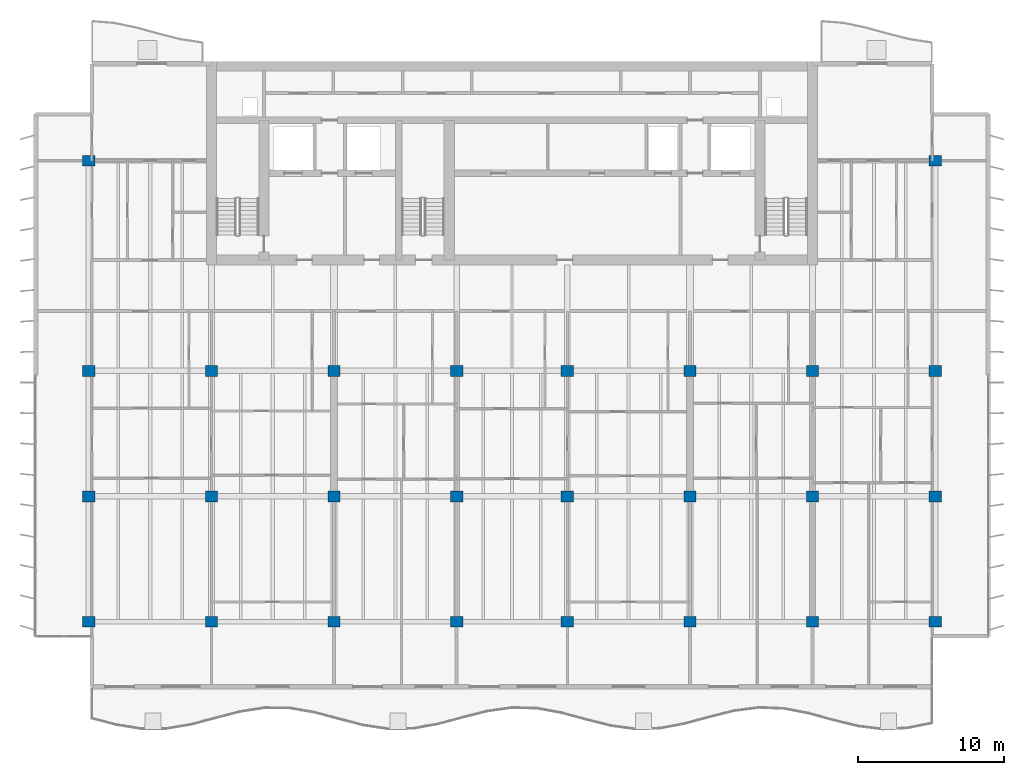
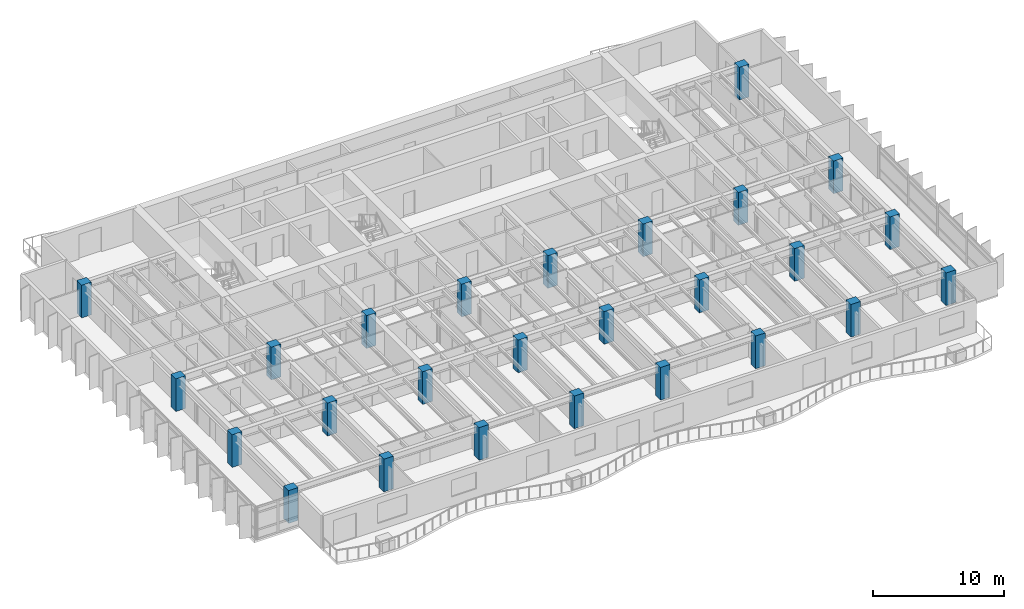
# One storey, part 1 of 19: 26 columns.
"""IFC4 building model written with IfcOpenShell, lengths in metres."""

from ifc_helpers import new_model, si_unit, direction, frame, origin, origin_2d, place, context, subcontext, project, spatial, rectangle, extrude, material, material_profile, profile_set, type_object, element, save


model = new_model("IFC4")

# Units and contexts
model_context = context("Model", 3, precision=1e-05, world=origin(), true_north=direction((0.0, 1.0)))
body_context = subcontext(model_context, "Body", "Model", "MODEL_VIEW")
ifc_project = project(units=[si_unit("LENGTHUNIT", "METRE"), si_unit("AREAUNIT", "SQUARE_METRE"), si_unit("VOLUMEUNIT", "CUBIC_METRE"), si_unit("PLANEANGLEUNIT", "RADIAN"), si_unit("MASSUNIT", "GRAM", prefix="KILO")], contexts=[model_context])

# Site, building, storey
site_placement = place(None, origin())
site = spatial("IfcSite", under=ifc_project, at=site_placement, CompositionType="ELEMENT")
building_placement = place(site_placement, origin())
building = spatial("IfcBuilding", under=site, at=building_placement, Name="Caelmar Bay Residences", CompositionType="ELEMENT")
storey_placement = place(building_placement, frame((0.0, 0.0, 191.699951171875)))
storey = spatial("IfcBuildingStorey", under=building, at=storey_placement, Name="L53", CompositionType="ELEMENT", Elevation=191.699951171875)

# Columns
ifc_material = material(Name="Concrete f'c 55 MPa (8,000 psi)", Category="concrete")
ifc_material_profile = material_profile(ifc_material, rectangle(XDim=0.85009765625, YDim=0.75, at=origin_2d()), Name="RC-COL-850X750")
ifc_profile_set = profile_set([ifc_material_profile], Name="Concrete f'c 55 MPa (8,000 psi)")
column_type = type_object("IfcColumnType", Name="COL-RC-850X750", PredefinedType="COLUMN", material=ifc_profile_set)
for number, where, z_axis, x_axis, name in (
    (1, (9.89990234375, 12.199951171875, 0.0), (0.0, 0.0, 1.0), (1.0, 0.0, 0.0), "L53 Column (9.90,12.20)"),
    (2, (18.300048828125, 12.199951171875, 0.0), (0.0, 0.0, 1.0), (1.0, 0.0, 0.0), "L53 Column (18.30,12.20)"),
    (3, (26.699951171875, 12.199951171875, 0.0), (0.0, 0.0, 1.0), (1.0, 0.0, 0.0), "L53 Column (26.70,12.20)"),
    (4, (35.10009765625, 12.199951171875, 0.0), (0.0, 0.0, 1.0), (1.0, 0.0, 0.0), "L53 Column (35.10,12.20)"),
    (5, (42.699951171875, 12.199951171875, 0.0), (0.0, 0.0, 1.0), (1.0, 0.0, 0.0), "L53 Column (42.70,12.20)"),
    (6, (51.10009765625, 12.199951171875, 0.0), (0.0, 0.0, 1.0), (1.0, 0.0, 0.0), "L53 Column (51.10,12.20)"),
    (7, (59.5, 12.199951171875, 0.0), (0.0, 0.0, 1.0), (1.0, 0.0, 0.0), "L53 Column (59.50,12.20)"),
    (8, (67.89990234375, 12.199951171875, 0.0), (0.0, 0.0, 1.0), (1.0, 0.0, 0.0), "L53 Column (67.90,12.20)"),
    (9, (9.89990234375, 20.800048828125, 0.0), (0.0, 0.0, 1.0), (1.0, 0.0, 0.0), "L53 Column (9.90,20.80)"),
    (10, (18.300048828125, 20.800048828125, 0.0), (0.0, 0.0, 1.0), (1.0, 0.0, 0.0), "L53 Column (18.30,20.80)"),
    (11, (26.699951171875, 20.800048828125, 0.0), (0.0, 0.0, 1.0), (1.0, 0.0, 0.0), "L53 Column (26.70,20.80)"),
    (12, (35.10009765625, 20.800048828125, 0.0), (0.0, 0.0, 1.0), (1.0, 0.0, 0.0), "L53 Column (35.10,20.80)"),
    (13, (42.699951171875, 20.800048828125, 0.0), (0.0, 0.0, 1.0), (1.0, 0.0, 0.0), "L53 Column (42.70,20.80)"),
    (14, (51.10009765625, 20.800048828125, 0.0), (0.0, 0.0, 1.0), (1.0, 0.0, 0.0), "L53 Column (51.10,20.80)"),
    (15, (59.5, 20.800048828125, 0.0), (0.0, 0.0, 1.0), (1.0, 0.0, 0.0), "L53 Column (59.50,20.80)"),
    (16, (67.89990234375, 20.800048828125, 0.0), (0.0, 0.0, 1.0), (1.0, 0.0, 0.0), "L53 Column (67.90,20.80)"),
    (17, (9.89990234375, 29.39990234375, 0.0), (0.0, 0.0, 1.0), (1.0, 0.0, 0.0), "L53 Column (9.90,29.40)"),
    (18, (18.300048828125, 29.39990234375, 0.0), (0.0, 0.0, 1.0), (1.0, 0.0, 0.0), "L53 Column (18.30,29.40)"),
    (19, (26.699951171875, 29.39990234375, 0.0), (0.0, 0.0, 1.0), (1.0, 0.0, 0.0), "L53 Column (26.70,29.40)"),
    (20, (35.10009765625, 29.39990234375, 0.0), (0.0, 0.0, 1.0), (1.0, 0.0, 0.0), "L53 Column (35.10,29.40)"),
    (21, (42.699951171875, 29.39990234375, 0.0), (0.0, 0.0, 1.0), (1.0, 0.0, 0.0), "L53 Column (42.70,29.40)"),
    (22, (51.10009765625, 29.39990234375, 0.0), (0.0, 0.0, 1.0), (1.0, 0.0, 0.0), "L53 Column (51.10,29.40)"),
    (23, (59.5, 29.39990234375, 0.0), (0.0, 0.0, 1.0), (1.0, 0.0, 0.0), "L53 Column (59.50,29.40)"),
    (24, (67.89990234375, 29.39990234375, 0.0), (0.0, 0.0, 1.0), (1.0, 0.0, 0.0), "L53 Column (67.90,29.40)"),
    (25, (9.89990234375, 43.800048828125, 0.0), (0.0, 0.0, 1.0), (1.0, 0.0, 0.0), "L53 Column (9.90,43.80)"),
    (26, (67.89990234375, 43.800048828125, 0.0), (0.0, 0.0, 1.0), (1.0, 0.0, 0.0), "L53 Column (67.90,43.80)"),
):
    element("IfcColumn", number, at=place(storey_placement, frame(where, z_axis=z_axis, x_axis=x_axis)), inside=storey, type_object=column_type, Name=name, PredefinedType="COLUMN", context=body_context, shape_type="SweptSolid", body=[
        extrude(rectangle(XDim=0.85009765625, YDim=0.75, at=origin_2d()), origin(), (0.0, 0.0, 1.0), 3.050048828125),
    ])

save(model, "model.ifc")
